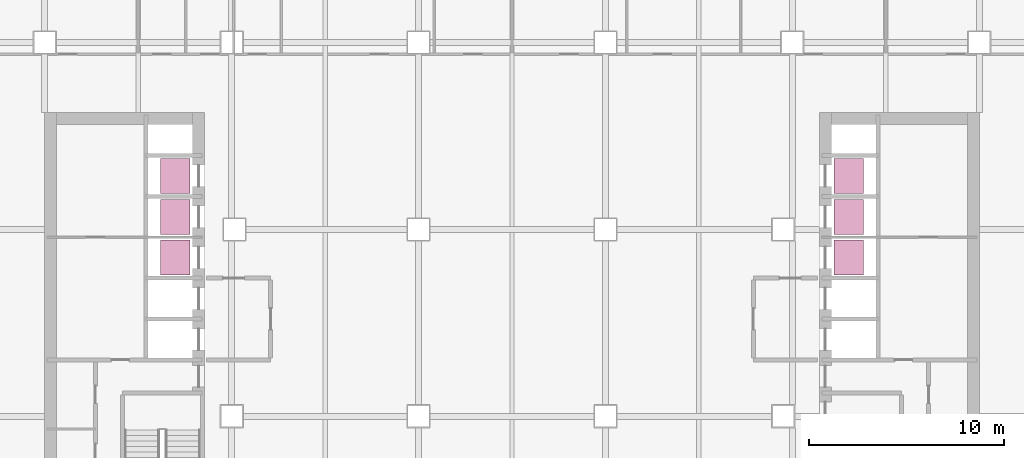
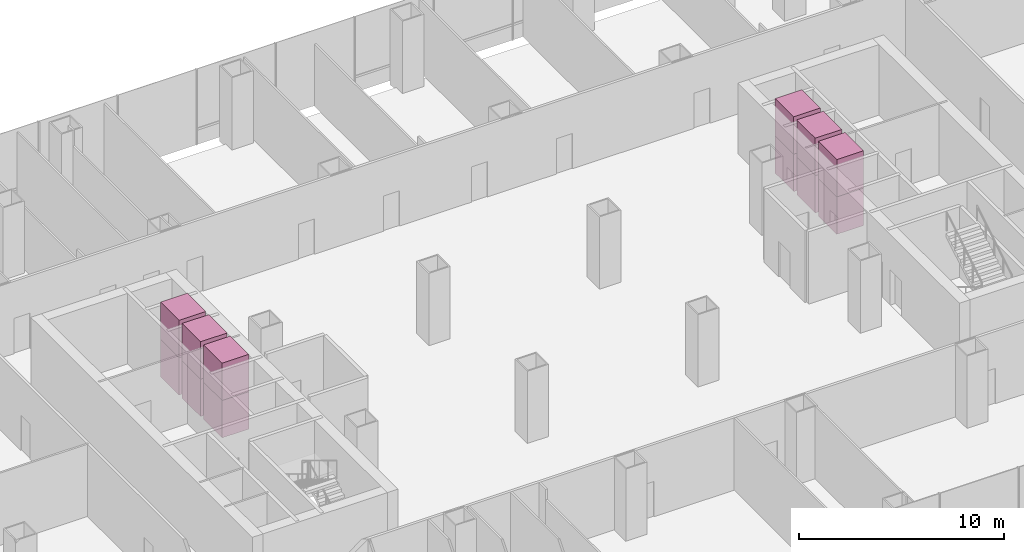
# One storey, part 23 of 23: 12 transport elements.
"""IFC4 building model written with IfcOpenShell, lengths in metres."""

from ifc_helpers import new_model, si_unit, direction, frame, origin, origin_2d, place, context, subcontext, project, spatial, rectangle, extrude, material, type_object, element, save


model = new_model("IFC4")

# Units and contexts
model_context = context("Model", 3, precision=1e-05, world=origin(), true_north=direction((0.0, 1.0)))
body_context = subcontext(model_context, "Body", "Model", "MODEL_VIEW")
ifc_project = project(units=[si_unit("LENGTHUNIT", "METRE"), si_unit("AREAUNIT", "SQUARE_METRE"), si_unit("VOLUMEUNIT", "CUBIC_METRE"), si_unit("PLANEANGLEUNIT", "RADIAN"), si_unit("MASSUNIT", "GRAM", prefix="KILO")], contexts=[model_context])

# Site, building, storey
site_placement = place(None, origin())
site = spatial("IfcSite", under=ifc_project, at=site_placement, CompositionType="ELEMENT")
building_placement = place(site_placement, origin())
building = spatial("IfcBuilding", under=site, at=building_placement, Name="Cobrizo Arcos Hotel Tower", CompositionType="ELEMENT")
storey_placement = place(building_placement, frame((0.0, 0.0, 20.0)))
storey = spatial("IfcBuildingStorey", under=building, at=storey_placement, Name="L03", CompositionType="ELEMENT", Elevation=20.0)

# Transport elements
ifc_material = material(Name="Stainless steel car", Category="steel")
transport_element_type = type_object("IfcTransportElementType", Name="Lift car Low 1.8x1.5", PredefinedType="ELEVATOR", material=ifc_material)
for number, where, z_axis, x_axis, name in (
    (1, (-17.300048828125, 3.35009765625, 0.0), (0.0, 0.0, 1.0), (1.0, 0.0, 0.0), "Low-rise passenger lift W1"),
    (2, (-17.300048828125, 3.35009765625, 2.224853515625), (0.0, 0.0, 1.0), (1.0, 0.0, 0.0), "Low-rise passenger lift W1"),
    (3, (-17.300048828125, 5.449951171875, 0.0), (0.0, 0.0, 1.0), (1.0, 0.0, 0.0), "Low-rise passenger lift W2"),
    (4, (-17.300048828125, 5.449951171875, 2.224853515625), (0.0, 0.0, 1.0), (1.0, 0.0, 0.0), "Low-rise passenger lift W2"),
    (5, (-17.300048828125, 7.550048828125, 0.0), (0.0, 0.0, 1.0), (1.0, 0.0, 0.0), "Low-rise passenger lift W3"),
    (6, (-17.300048828125, 7.550048828125, 2.224853515625), (0.0, 0.0, 1.0), (1.0, 0.0, 0.0), "Low-rise passenger lift W3"),
    (7, (17.300048828125, 3.35009765625, 0.0), (0.0, 0.0, 1.0), (1.0, 0.0, 0.0), "Low-rise passenger lift E1"),
    (8, (17.300048828125, 3.35009765625, 2.224853515625), (0.0, 0.0, 1.0), (1.0, 0.0, 0.0), "Low-rise passenger lift E1"),
    (9, (17.300048828125, 5.449951171875, 0.0), (0.0, 0.0, 1.0), (1.0, 0.0, 0.0), "Low-rise passenger lift E2"),
    (10, (17.300048828125, 5.449951171875, 2.224853515625), (0.0, 0.0, 1.0), (1.0, 0.0, 0.0), "Low-rise passenger lift E2"),
    (11, (17.300048828125, 7.550048828125, 0.0), (0.0, 0.0, 1.0), (1.0, 0.0, 0.0), "Low-rise passenger lift E3"),
    (12, (17.300048828125, 7.550048828125, 2.224853515625), (0.0, 0.0, 1.0), (1.0, 0.0, 0.0), "Low-rise passenger lift E3"),
):
    element("IfcTransportElement", number, at=place(storey_placement, frame(where, z_axis=z_axis, x_axis=x_axis)), inside=storey, type_object=transport_element_type, Name=name, PredefinedType="ELEVATOR", context=body_context, shape_type="SweptSolid", body=[
        extrude(rectangle(XDim=1.5, YDim=1.800048828125, at=origin_2d()), origin(), (0.0, 0.0, 1.0), 2.22509765625),
    ])

save(model, "model.ifc")
